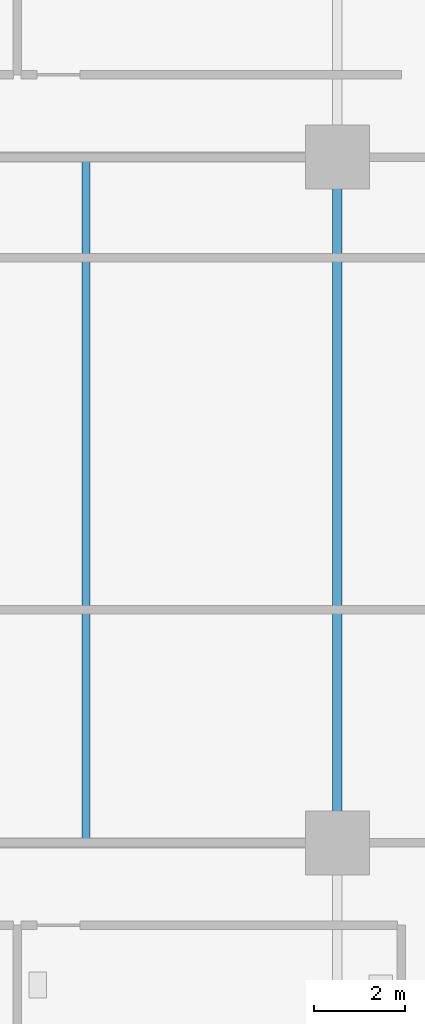
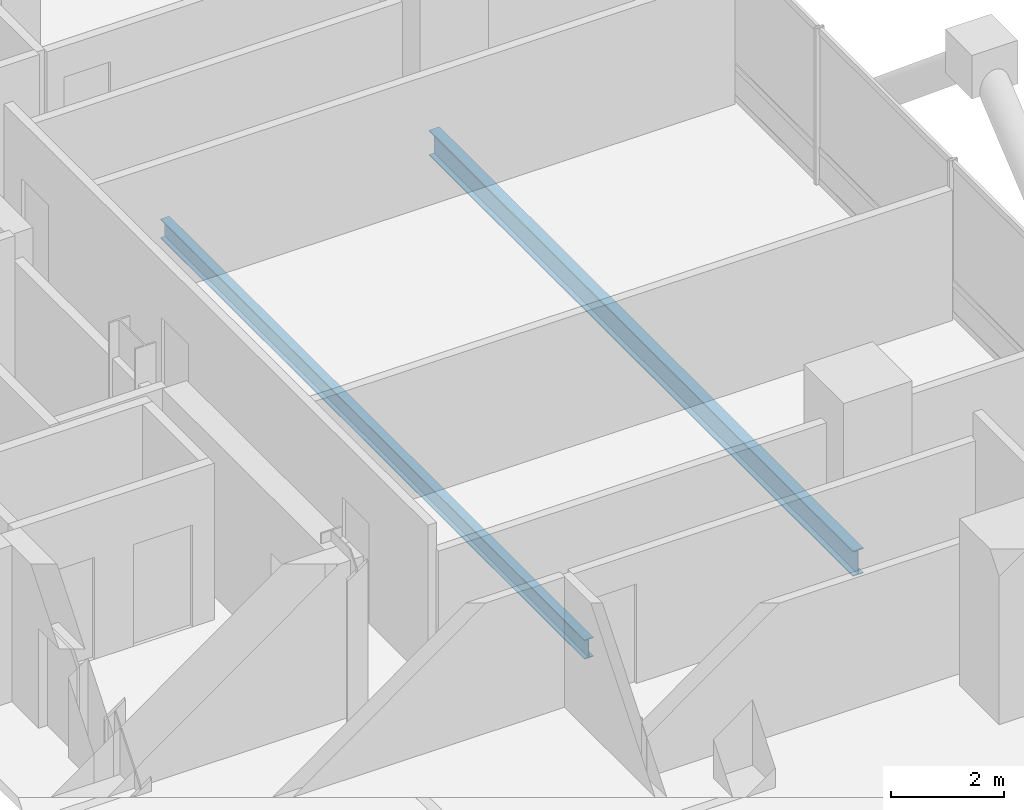
# One storey, part 9 of 21: 2 beams.
"""IFC4 building model written with IfcOpenShell, lengths in metres."""

from ifc_helpers import new_model, si_unit, direction, frame, origin, origin_2d, place, context, subcontext, project, spatial, i_section, extrude, material, material_profile, profile_set, type_object, element, save


model = new_model("IFC4")

# Units and contexts
model_context = context("Model", 3, precision=1e-05, world=origin(), true_north=direction((0.0, 1.0)))
body_context = subcontext(model_context, "Body", "Model", "MODEL_VIEW")
ifc_project = project(units=[si_unit("LENGTHUNIT", "METRE"), si_unit("AREAUNIT", "SQUARE_METRE"), si_unit("VOLUMEUNIT", "CUBIC_METRE"), si_unit("PLANEANGLEUNIT", "RADIAN"), si_unit("MASSUNIT", "GRAM", prefix="KILO")], contexts=[model_context])

# Site, building, storey
site_placement = place(None, origin())
site = spatial("IfcSite", under=ifc_project, at=site_placement, CompositionType="ELEMENT")
building_placement = place(site_placement, origin())
building = spatial("IfcBuilding", under=site, at=building_placement, Name="Barlavira Tower and Art Museum", CompositionType="ELEMENT")
storey_placement = place(building_placement, frame((0.0, 0.0, 79.199951171875)))
storey = spatial("IfcBuildingStorey", under=building, at=storey_placement, Name="L19", CompositionType="ELEMENT", Elevation=79.199951171875)

# Beams
ifc_material = material(Name="Steel S355", Category="steel")
ifc_material_profile_1 = material_profile(ifc_material, i_section(OverallWidth=0.180908203125, OverallDepth=0.4169921875, WebThickness=0.010986328125, FlangeThickness=0.018310546875, at=origin_2d()), Name="W410x85.0")
ifc_profile_set_1 = profile_set([ifc_material_profile_1], Name="Steel S355")
beam_type_1 = type_object("IfcBeamType", Name="Zone 1 Composite Floor Joist W410x85 Steel S355", PredefinedType="JOIST", material=ifc_profile_set_1)
beam_1_placement = place(storey_placement, frame((11.5, -7.5, -0.428466796875), z_axis=(0.0, 1.0, 0.0), x_axis=(-1.0, 0.0, 0.0)))
element("IfcBeam", 1, at=beam_1_placement, inside=storey, type_object=beam_type_1, Name="L19 Joist W2", PredefinedType="JOIST", context=body_context, shape_type="SweptSolid", body=[
    extrude(i_section(OverallWidth=0.180908203125, OverallDepth=0.4169921875, WebThickness=0.010986328125, FlangeThickness=0.018310546875, at=origin_2d()), origin(), (0.0, 0.0, 1.0), 15.0),
])
ifc_material_profile_2 = material_profile(ifc_material, i_section(OverallWidth=0.214111328125, OverallDepth=0.549072265625, WebThickness=0.0146484375, FlangeThickness=0.023681640625, at=origin_2d()), Name="W530x138.0")
ifc_profile_set_2 = profile_set([ifc_material_profile_2], Name="Steel S355")
beam_type_2 = type_object("IfcBeamType", Name="Zone 1 Primary Floor Girder W530x138 Steel S355", PredefinedType="BEAM", material=ifc_profile_set_2)
beam_2_placement = place(storey_placement, frame((17.0, -7.5, -0.494384765625), z_axis=(0.0, 1.0, 0.0), x_axis=(-1.0, 0.0, 0.0)))
element("IfcBeam", 2, at=beam_2_placement, inside=storey, type_object=beam_type_2, Name="L19 Girder M-E2", PredefinedType="BEAM", context=body_context, shape_type="SweptSolid", body=[
    extrude(i_section(OverallWidth=0.214111328125, OverallDepth=0.549072265625, WebThickness=0.0146484375, FlangeThickness=0.023681640625, at=origin_2d()), origin(), (0.0, 0.0, 1.0), 15.0),
])

save(model, "model.ifc")
